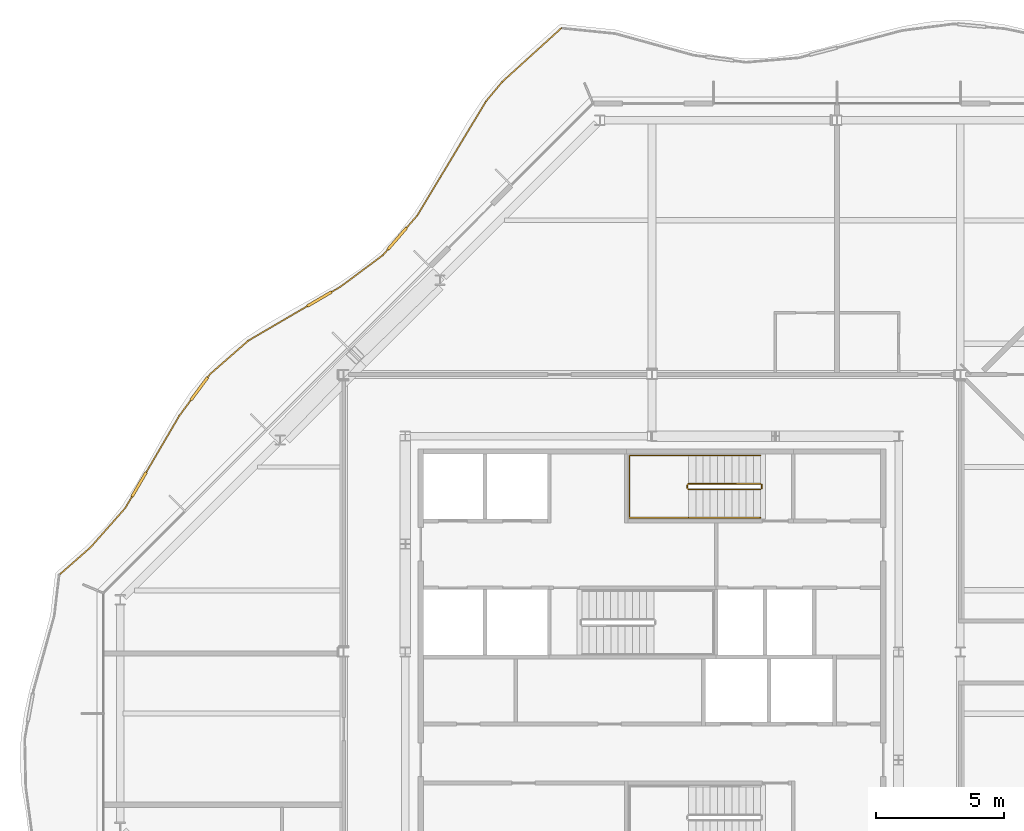
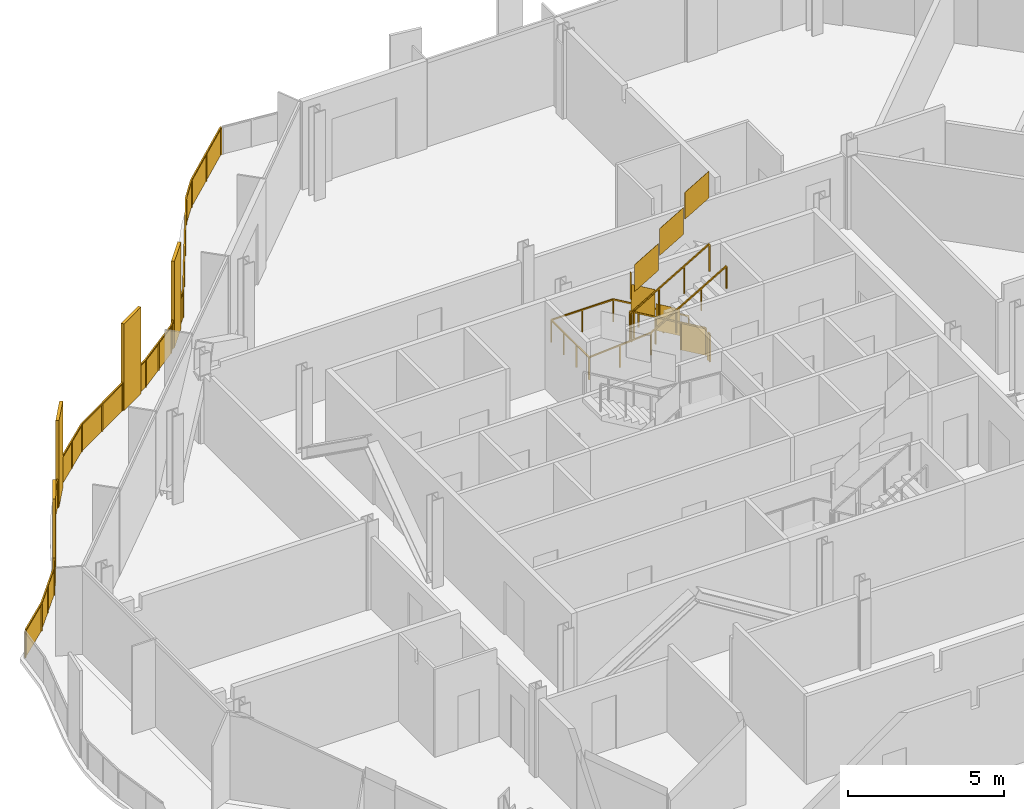
# One storey, part 16 of 17: 4 railings.
"""IFC4 building model written with IfcOpenShell, lengths in metres."""

from ifc_helpers import new_model, si_unit, direction, frame, origin, origin_2d, place, context, subcontext, project, spatial, polyline, rectangle, outline, extrude, material, type_object, element, save


model = new_model("IFC4")

# Units and contexts
model_context = context("Model", 3, precision=1e-05, world=origin(), true_north=direction((0.0, 1.0)))
body_context = subcontext(model_context, "Body", "Model", "MODEL_VIEW")
ifc_project = project(units=[si_unit("LENGTHUNIT", "METRE"), si_unit("AREAUNIT", "SQUARE_METRE"), si_unit("VOLUMEUNIT", "CUBIC_METRE"), si_unit("PLANEANGLEUNIT", "RADIAN"), si_unit("MASSUNIT", "GRAM", prefix="KILO")], contexts=[model_context])

# Site, building, storey
site_placement = place(None, origin())
site = spatial("IfcSite", under=ifc_project, at=site_placement, CompositionType="ELEMENT")
building_placement = place(site_placement, origin())
building = spatial("IfcBuilding", under=site, at=building_placement, Name="Cairn Pilgrim Tower", CompositionType="ELEMENT")
storey_placement = place(building_placement, frame((0.0, 0.0, 243.0)))
storey = spatial("IfcBuildingStorey", under=building, at=storey_placement, Name="L62", CompositionType="ELEMENT", Elevation=243.0)

# Railings
ifc_material_1 = material(Name="Bronze anodised aluminium rail, posts and fin screens with laminated glass infill", Category="aluminium")
railing_type_1 = type_object("IfcRailingType", Name="BALCONY GUARD WITH FIN SCREENS", PredefinedType="GUARDRAIL", material=ifc_material_1)
railing_1_placement = place(storey_placement, frame((3.6748046875, 26.68408203125, 0.0)))
element("IfcRailing", 1, at=railing_1_placement, inside=storey, type_object=railing_type_1, Name="Balcony guard BGF-5 with fin screens", PredefinedType="GUARDRAIL", context=body_context, shape_type="SweptSolid", body=[
    extrude(rectangle(XDim=0.050048828125, YDim=0.050048828125, at=origin_2d()), frame((0.0, 0.0, 1.0751953125), z_axis=(-0.740425900008, -0.672137996693, 0.0), x_axis=(0.672137996693, -0.740425900008, 0.0)), (0.0, 0.0, 1.0), 3.114013671875),
    extrude(rectangle(XDim=0.050048828125, YDim=0.050048828125, at=origin_2d()), frame((-2.3056640625, -2.093017578125, 1.0751953125), z_axis=(-0.638846465128, -0.76933425375, 0.0), x_axis=(0.76933425375, -0.638846465128, 0.0)), (0.0, 0.0, 1.0), 0.98779296875),
    extrude(rectangle(XDim=0.050048828125, YDim=0.050048828125, at=origin_2d()), frame((-2.936767578125, -2.85302734375, 1.0751953125), z_axis=(-0.515749020888, -0.856739719783, 0.0), x_axis=(0.856739719783, -0.515749020888, 0.0)), (0.0, 0.0, 1.0), 5.182861328125),
    extrude(rectangle(XDim=1.10009765625, YDim=0.110107421875, at=origin_2d()), frame((-6.38671875, -8.190185546875, 0.0), z_axis=(0.0, 0.0, 1.0), x_axis=(-0.654694251359, -0.755893800238, 0.0)), (0.0, 0.0, 1.0), 3.39990234375),
    extrude(rectangle(XDim=0.050048828125, YDim=0.050048828125, at=origin_2d()), frame((-5.60986328125, -7.29345703125, 1.0751953125), z_axis=(-0.654694251359, -0.755893800238, 0.0), x_axis=(0.755893800238, -0.654694251359, 0.0)), (0.0, 0.0, 1.0), 0.636474609375),
    extrude(rectangle(XDim=0.050048828125, YDim=0.050048828125, at=origin_2d()), frame((-6.74658203125, -8.60595703125, 1.0751953125), z_axis=(-0.654694251359, -0.755893800238, 0.0), x_axis=(0.755893800238, -0.654694251359, 0.0)), (0.0, 0.0, 1.0), 0.309326171875),
    extrude(rectangle(XDim=0.050048828125, YDim=0.050048828125, at=origin_2d()), frame((-6.94921875, -8.83984375, 1.0751953125), z_axis=(-0.802357436318, -0.596843819089, 0.0), x_axis=(0.596843819089, -0.802357436318, 0.0)), (0.0, 0.0, 1.0), 2.0576171875),
    extrude(rectangle(XDim=1.10009765625, YDim=0.110107421875, at=origin_2d()), frame((-9.41796875, -10.54638671875, 0.0), z_axis=(0.0, 0.0, 1.0), x_axis=(-0.863146987967, -0.504952747456, 0.0)), (0.0, 0.0, 1.0), 3.39990234375),
    extrude(rectangle(XDim=0.050048828125, YDim=0.050048828125, at=origin_2d()), frame((-8.60009765625, -10.06787109375, 1.0751953125), z_axis=(-0.863146987967, -0.504952747456, 0.0), x_axis=(0.504952747456, -0.863146987967, 0.0)), (0.0, 0.0, 1.0), 0.397705078125),
    extrude(rectangle(XDim=0.050048828125, YDim=0.050048828125, at=origin_2d()), frame((-9.892822265625, -10.823974609375, 1.0751953125), z_axis=(-0.863146987967, -0.504952747456, 0.0), x_axis=(0.504952747456, -0.863146987967, 0.0)), (0.0, 0.0, 1.0), 2.654541015625),
    extrude(rectangle(XDim=0.050048828125, YDim=0.050048828125, at=origin_2d()), frame((-12.18408203125, -12.16455078125, 1.0751953125), z_axis=(-0.752637637327, -0.658434952655, 0.0), x_axis=(0.658434952655, -0.752637637327, 0.0)), (0.0, 0.0, 1.0), 1.985107421875),
    extrude(rectangle(XDim=1.10009765625, YDim=0.110107421875, at=origin_2d()), frame((-14.09375, -14.03515625, 0.0), z_axis=(0.0, 0.0, 1.0), x_axis=(-0.593489038076, -0.804842072511, 0.0)), (0.0, 0.0, 1.0), 3.39990234375),
    extrude(rectangle(XDim=0.050048828125, YDim=0.050048828125, at=origin_2d()), frame((-13.67822265625, -13.4716796875, 1.0751953125), z_axis=(-0.593489038076, -0.804842072511, 0.0), x_axis=(0.804842072511, -0.593489038076, 0.0)), (0.0, 0.0, 1.0), 0.14990234375),
    extrude(rectangle(XDim=0.050048828125, YDim=0.050048828125, at=origin_2d()), frame((-14.420166015625, -14.477783203125, 1.0751953125), z_axis=(-0.593489038076, -0.804842072511, 0.0), x_axis=(0.804842072511, -0.593489038076, 0.0)), (0.0, 0.0, 1.0), 0.760009765625),
    extrude(rectangle(XDim=1.10009765625, YDim=0.110107421875, at=origin_2d()), frame((-16.43798828125, -17.763671875, 0.0), z_axis=(0.0, 0.0, 1.0), x_axis=(-0.505535930388, -0.862805553463, 0.0)), (0.0, 0.0, 1.0), 3.39990234375),
    extrude(rectangle(XDim=0.050048828125, YDim=0.050048828125, at=origin_2d()), frame((-14.87109375, -15.08935546875, 1.0751953125), z_axis=(-0.505535930388, -0.862805553463, 0.0), x_axis=(0.862805553463, -0.505535930388, 0.0)), (0.0, 0.0, 1.0), 2.549560546875),
    extrude(rectangle(XDim=0.050048828125, YDim=0.050048828125, at=origin_2d()), frame((-16.716064453125, -18.23828125, 1.0751953125), z_axis=(-0.505535930388, -0.862805553463, 0.0), x_axis=(0.862805553463, -0.505535930388, 0.0)), (0.0, 0.0, 1.0), 0.5146484375),
    extrude(rectangle(XDim=0.050048828125, YDim=0.050048828125, at=origin_2d()), frame((-16.976318359375, -18.682373046875, 1.0751953125), z_axis=(-0.662183726356, -0.749341519302, 0.0), x_axis=(0.749341519302, -0.662183726356, 0.0)), (0.0, 0.0, 1.0), 2.039306640625),
    extrude(rectangle(XDim=0.050048828125, YDim=0.050048828125, at=origin_2d()), frame((-18.32666015625, -20.21044921875, 1.0751953125), z_axis=(-0.751073878681, -0.66021816755, 0.0), x_axis=(0.66021816755, -0.751073878681, 0.0)), (0.0, 0.0, 1.0), 1.572021484375),
    extrude(rectangle(XDim=0.050048828125, YDim=0.050048828125, at=origin_2d()), origin(), (0.0, 0.0, 1.0), 1.050048828125),
    extrude(rectangle(XDim=0.050048828125, YDim=0.050048828125, at=origin_2d()), frame((-1.15283203125, -1.04638671875, 0.0)), (0.0, 0.0, 1.0), 1.050048828125),
    extrude(rectangle(XDim=0.050048828125, YDim=0.050048828125, at=origin_2d()), frame((-2.3056640625, -2.093017578125, 0.0)), (0.0, 0.0, 1.0), 1.050048828125),
    extrude(rectangle(XDim=0.050048828125, YDim=0.050048828125, at=origin_2d()), frame((-2.936767578125, -2.85302734375, 0.0)), (0.0, 0.0, 1.0), 1.050048828125),
    extrude(rectangle(XDim=0.050048828125, YDim=0.050048828125, at=origin_2d()), frame((-3.827880859375, -4.333251953125, 0.0)), (0.0, 0.0, 1.0), 1.050048828125),
    extrude(rectangle(XDim=0.050048828125, YDim=0.050048828125, at=origin_2d()), frame((-4.71875, -5.813232421875, 0.0)), (0.0, 0.0, 1.0), 1.050048828125),
    extrude(rectangle(XDim=0.050048828125, YDim=0.050048828125, at=origin_2d()), frame((-5.60986328125, -7.29345703125, 0.0)), (0.0, 0.0, 1.0), 1.050048828125),
    extrude(rectangle(XDim=0.050048828125, YDim=0.050048828125, at=origin_2d()), frame((-6.01025390625, -7.755615234375, 0.0)), (0.0, 0.0, 1.0), 1.050048828125),
    extrude(rectangle(XDim=0.050048828125, YDim=0.050048828125, at=origin_2d()), frame((-6.76318359375, -8.625, 0.0)), (0.0, 0.0, 1.0), 1.050048828125),
    extrude(rectangle(XDim=0.050048828125, YDim=0.050048828125, at=origin_2d()), frame((-6.94921875, -8.83984375, 0.0)), (0.0, 0.0, 1.0), 1.050048828125),
    extrude(rectangle(XDim=0.050048828125, YDim=0.050048828125, at=origin_2d()), frame((-7.774658203125, -9.453857421875, 0.0)), (0.0, 0.0, 1.0), 1.050048828125),
    extrude(rectangle(XDim=0.050048828125, YDim=0.050048828125, at=origin_2d()), frame((-8.60009765625, -10.06787109375, 0.0)), (0.0, 0.0, 1.0), 1.050048828125),
    extrude(rectangle(XDim=0.050048828125, YDim=0.050048828125, at=origin_2d()), frame((-8.921630859375, -10.256103515625, 0.0)), (0.0, 0.0, 1.0), 1.050048828125),
    extrude(rectangle(XDim=0.050048828125, YDim=0.050048828125, at=origin_2d()), frame((-9.914306640625, -10.836669921875, 0.0)), (0.0, 0.0, 1.0), 1.050048828125),
    extrude(rectangle(XDim=0.050048828125, YDim=0.050048828125, at=origin_2d()), frame((-11.04931640625, -11.500732421875, 0.0)), (0.0, 0.0, 1.0), 1.050048828125),
    extrude(rectangle(XDim=0.050048828125, YDim=0.050048828125, at=origin_2d()), frame((-12.18408203125, -12.16455078125, 0.0)), (0.0, 0.0, 1.0), 1.050048828125),
    extrude(rectangle(XDim=0.050048828125, YDim=0.050048828125, at=origin_2d()), frame((-12.93115234375, -12.818115234375, 0.0)), (0.0, 0.0, 1.0), 1.050048828125),
    extrude(rectangle(XDim=0.050048828125, YDim=0.050048828125, at=origin_2d()), frame((-13.67822265625, -13.4716796875, 0.0)), (0.0, 0.0, 1.0), 1.050048828125),
    extrude(rectangle(XDim=0.050048828125, YDim=0.050048828125, at=origin_2d()), frame((-13.75244140625, -13.572265625, 0.0)), (0.0, 0.0, 1.0), 1.050048828125),
    extrude(rectangle(XDim=0.050048828125, YDim=0.050048828125, at=origin_2d()), frame((-14.434814453125, -14.497802734375, 0.0)), (0.0, 0.0, 1.0), 1.050048828125),
    extrude(rectangle(XDim=0.050048828125, YDim=0.050048828125, at=origin_2d()), frame((-14.87109375, -15.08935546875, 0.0)), (0.0, 0.0, 1.0), 1.050048828125),
    extrude(rectangle(XDim=0.050048828125, YDim=0.050048828125, at=origin_2d()), frame((-15.50927734375, -16.178466796875, 0.0)), (0.0, 0.0, 1.0), 1.050048828125),
    extrude(rectangle(XDim=0.050048828125, YDim=0.050048828125, at=origin_2d()), frame((-16.1474609375, -17.267578125, 0.0)), (0.0, 0.0, 1.0), 1.050048828125),
    extrude(rectangle(XDim=0.050048828125, YDim=0.050048828125, at=origin_2d()), frame((-16.728759765625, -18.259765625, 0.0)), (0.0, 0.0, 1.0), 1.050048828125),
    extrude(rectangle(XDim=0.050048828125, YDim=0.050048828125, at=origin_2d()), frame((-16.976318359375, -18.682373046875, 0.0)), (0.0, 0.0, 1.0), 1.050048828125),
    extrude(rectangle(XDim=0.050048828125, YDim=0.050048828125, at=origin_2d()), frame((-17.6513671875, -19.4462890625, 0.0)), (0.0, 0.0, 1.0), 1.050048828125),
    extrude(rectangle(XDim=0.050048828125, YDim=0.050048828125, at=origin_2d()), frame((-18.32666015625, -20.21044921875, 0.0)), (0.0, 0.0, 1.0), 1.050048828125),
    extrude(rectangle(XDim=0.050048828125, YDim=0.050048828125, at=origin_2d()), frame((-19.50732421875, -21.248291015625, 0.0)), (0.0, 0.0, 1.0), 1.050048828125),
    extrude(outline(polyline([(0.02490234375, 0.0), (1.531982421875, 0.0), (1.531982421875, 1.050048828125), (0.02490234375, 1.050048828125), (0.02490234375, 0.0)])), frame((0.00390625, -0.00439453125, 0.0), z_axis=(-0.672137996693, 0.740425900008, 0.0), x_axis=(-0.740425900008, -0.672137996693, 0.0)), (0.0, 0.0, 1.0), 0.011962890625),
    extrude(outline(polyline([(0.02490234375, 0.0), (1.531982421875, 0.0), (1.531982421875, 1.050048828125), (0.02490234375, 1.050048828125), (0.02490234375, 0.0)])), frame((-1.14892578125, -1.051025390625, 0.0), z_axis=(-0.672137996693, 0.740425900008, 0.0), x_axis=(-0.740425900008, -0.672137996693, 0.0)), (0.0, 0.0, 1.0), 0.011962890625),
    extrude(outline(polyline([(0.02490234375, 0.0), (0.962890625, 0.0), (0.962890625, 1.050048828125), (0.02490234375, 1.050048828125), (0.02490234375, 0.0)])), frame((-2.301025390625, -2.096923828125, 0.0), z_axis=(-0.76933425375, 0.638846465128, 0.0), x_axis=(-0.638846465128, -0.76933425375, 0.0)), (0.0, 0.0, 1.0), 0.011962890625),
    extrude(outline(polyline([(0.02490234375, 0.0), (1.70263671875, 0.0), (1.70263671875, 1.050048828125), (0.02490234375, 1.050048828125), (0.02490234375, 0.0)])), frame((-2.931640625, -2.856201171875, 0.0), z_axis=(-0.856739719783, 0.515749020888, 0.0), x_axis=(-0.515749020888, -0.856739719783, 0.0)), (0.0, 0.0, 1.0), 0.011962890625),
    extrude(outline(polyline([(0.02490234375, 0.0), (1.70263671875, 0.0), (1.70263671875, 1.050048828125), (0.02490234375, 1.050048828125), (0.02490234375, 0.0)])), frame((-3.82275390625, -4.336181640625, 0.0), z_axis=(-0.856739719783, 0.515749020888, 0.0), x_axis=(-0.515749020888, -0.856739719783, 0.0)), (0.0, 0.0, 1.0), 0.011962890625),
    extrude(outline(polyline([(0.02490234375, 0.0), (1.70263671875, 0.0), (1.70263671875, 1.050048828125), (0.02490234375, 1.050048828125), (0.02490234375, 0.0)])), frame((-4.713623046875, -5.81640625, 0.0), z_axis=(-0.856739719783, 0.515749020888, 0.0), x_axis=(-0.515749020888, -0.856739719783, 0.0)), (0.0, 0.0, 1.0), 0.011962890625),
    extrude(outline(polyline([(0.02490234375, 0.0), (0.58642578125, 0.0), (0.58642578125, 1.050048828125), (0.02490234375, 1.050048828125), (0.02490234375, 0.0)])), frame((-5.605224609375, -7.29736328125, 0.0), z_axis=(-0.755893800238, 0.654694251359, 0.0), x_axis=(-0.654694251359, -0.755893800238, 0.0)), (0.0, 0.0, 1.0), 0.011962890625),
    extrude(outline(polyline([(0.02490234375, 0.0), (0.25927734375, 0.0), (0.25927734375, 1.050048828125), (0.02490234375, 1.050048828125), (0.02490234375, 0.0)])), frame((-6.758544921875, -8.62890625, 0.0), z_axis=(-0.755893800238, 0.654694251359, 0.0), x_axis=(-0.654694251359, -0.755893800238, 0.0)), (0.0, 0.0, 1.0), 0.011962890625),
    extrude(outline(polyline([(0.02490234375, 0.0), (1.003662109375, 0.0), (1.003662109375, 1.050048828125), (0.02490234375, 1.050048828125), (0.02490234375, 0.0)])), frame((-6.945556640625, -8.8447265625, 0.0), z_axis=(-0.596843819089, 0.802357436318, 0.0), x_axis=(-0.802357436318, -0.596843819089, 0.0)), (0.0, 0.0, 1.0), 0.011962890625),
    extrude(outline(polyline([(0.02490234375, 0.0), (1.003662109375, 0.0), (1.003662109375, 1.050048828125), (0.02490234375, 1.050048828125), (0.02490234375, 0.0)])), frame((-7.77099609375, -9.458740234375, 0.0), z_axis=(-0.596843819089, 0.802357436318, 0.0), x_axis=(-0.802357436318, -0.596843819089, 0.0)), (0.0, 0.0, 1.0), 0.011962890625),
    extrude(outline(polyline([(0.02490234375, 0.0), (0.34765625, 0.0), (0.34765625, 1.050048828125), (0.02490234375, 1.050048828125), (0.02490234375, 0.0)])), frame((-8.59716796875, -10.072998046875, 0.0), z_axis=(-0.504952747456, 0.863146987967, 0.0), x_axis=(-0.863146987967, -0.504952747456, 0.0)), (0.0, 0.0, 1.0), 0.011962890625),
    extrude(outline(polyline([(0.02490234375, 0.0), (1.289794921875, 0.0), (1.289794921875, 1.050048828125), (0.02490234375, 1.050048828125), (0.02490234375, 0.0)])), frame((-9.911376953125, -10.841796875, 0.0), z_axis=(-0.504952747456, 0.863146987967, 0.0), x_axis=(-0.863146987967, -0.504952747456, 0.0)), (0.0, 0.0, 1.0), 0.011962890625),
    extrude(outline(polyline([(0.02490234375, 0.0), (1.289794921875, 0.0), (1.289794921875, 1.050048828125), (0.02490234375, 1.050048828125), (0.02490234375, 0.0)])), frame((-11.046142578125, -11.505859375, 0.0), z_axis=(-0.504952747456, 0.863146987967, 0.0), x_axis=(-0.863146987967, -0.504952747456, 0.0)), (0.0, 0.0, 1.0), 0.011962890625),
    extrude(outline(polyline([(0.02490234375, 0.0), (0.967529296875, 0.0), (0.967529296875, 1.050048828125), (0.02490234375, 1.050048828125), (0.02490234375, 0.0)])), frame((-12.18017578125, -12.1689453125, 0.0), z_axis=(-0.658434952655, 0.752637637327, 0.0), x_axis=(-0.752637637327, -0.658434952655, 0.0)), (0.0, 0.0, 1.0), 0.011962890625),
    extrude(outline(polyline([(0.02490234375, 0.0), (0.967529296875, 0.0), (0.967529296875, 1.050048828125), (0.02490234375, 1.050048828125), (0.02490234375, 0.0)])), frame((-12.92724609375, -12.822509765625, 0.0), z_axis=(-0.658434952655, 0.752637637327, 0.0), x_axis=(-0.752637637327, -0.658434952655, 0.0)), (0.0, 0.0, 1.0), 0.011962890625),
    extrude(outline(polyline([(0.02490234375, 0.0), (0.099853515625, 0.0), (0.099853515625, 1.050048828125), (0.02490234375, 1.050048828125), (0.02490234375, 0.0)])), frame((-13.67333984375, -13.475341796875, 0.0), z_axis=(-0.804842072511, 0.593489038076, 0.0), x_axis=(-0.593489038076, -0.804842072511, 0.0)), (0.0, 0.0, 1.0), 0.011962890625),
    extrude(outline(polyline([(0.02490234375, 0.0), (0.7099609375, 0.0), (0.7099609375, 1.050048828125), (0.02490234375, 1.050048828125), (0.02490234375, 0.0)])), frame((-14.43017578125, -14.50146484375, 0.0), z_axis=(-0.804842072511, 0.593489038076, 0.0), x_axis=(-0.593489038076, -0.804842072511, 0.0)), (0.0, 0.0, 1.0), 0.011962890625),
    extrude(outline(polyline([(0.02490234375, 0.0), (1.2373046875, 0.0), (1.2373046875, 1.050048828125), (0.02490234375, 1.050048828125), (0.02490234375, 0.0)])), frame((-14.865966796875, -15.09228515625, 0.0), z_axis=(-0.862805553463, 0.505535930388, 0.0), x_axis=(-0.505535930388, -0.862805553463, 0.0)), (0.0, 0.0, 1.0), 0.011962890625),
    extrude(outline(polyline([(0.02490234375, 0.0), (1.2373046875, 0.0), (1.2373046875, 1.050048828125), (0.02490234375, 1.050048828125), (0.02490234375, 0.0)])), frame((-15.504150390625, -16.181396484375, 0.0), z_axis=(-0.862805553463, 0.505535930388, 0.0), x_axis=(-0.505535930388, -0.862805553463, 0.0)), (0.0, 0.0, 1.0), 0.011962890625),
    extrude(outline(polyline([(0.02490234375, 0.0), (0.464599609375, 0.0), (0.464599609375, 1.050048828125), (0.02490234375, 1.050048828125), (0.02490234375, 0.0)])), frame((-16.7236328125, -18.262939453125, 0.0), z_axis=(-0.862805553463, 0.505535930388, 0.0), x_axis=(-0.505535930388, -0.862805553463, 0.0)), (0.0, 0.0, 1.0), 0.011962890625),
    extrude(outline(polyline([(0.02490234375, 0.0), (0.99462890625, 0.0), (0.99462890625, 1.050048828125), (0.02490234375, 1.050048828125), (0.02490234375, 0.0)])), frame((-16.971923828125, -18.686279296875, 0.0), z_axis=(-0.749341519302, 0.662183726356, 0.0), x_axis=(-0.662183726356, -0.749341519302, 0.0)), (0.0, 0.0, 1.0), 0.011962890625),
    extrude(outline(polyline([(0.02490234375, 0.0), (0.99462890625, 0.0), (0.99462890625, 1.050048828125), (0.02490234375, 1.050048828125), (0.02490234375, 0.0)])), frame((-17.64697265625, -19.450439453125, 0.0), z_axis=(-0.749341519302, 0.662183726356, 0.0), x_axis=(-0.662183726356, -0.749341519302, 0.0)), (0.0, 0.0, 1.0), 0.011962890625),
    extrude(outline(polyline([(0.02490234375, 0.0), (1.546875, 0.0), (1.546875, 1.050048828125), (0.02490234375, 1.050048828125), (0.02490234375, 0.0)])), frame((-18.32275390625, -20.21484375, 0.0), z_axis=(-0.66021816755, 0.751073878681, 0.0), x_axis=(-0.751073878681, -0.66021816755, 0.0)), (0.0, 0.0, 1.0), 0.011962890625),
])
ifc_material_2 = material(Name="Painted steel", Category="steel")
railing_type_2 = type_object("IfcRailingType", Name="STAIR GUARD 1100", PredefinedType="GUARDRAIL", material=ifc_material_2)
railing_2_placement = place(storey_placement, frame((11.425048828125, 8.949951171875, 0.16357421875)))
element("IfcRailing", 2, at=railing_2_placement, inside=storey, type_object=railing_type_2, Name="L62 ST-C stair guard 1", PredefinedType="GUARDRAIL", context=body_context, shape_type="SweptSolid", body=[
    extrude(rectangle(XDim=0.048095703125, YDim=0.048095703125, at=origin_2d()), frame((0.0, 0.0, 1.076171875), z_axis=(-0.863360870873, 0.0, 0.504586966384), x_axis=(0.0, -1.0, 0.0)), (0.0, 0.0, 1.0), 3.2431640625),
    extrude(rectangle(XDim=0.048095703125, YDim=0.048095703125, at=origin_2d()), frame((-2.800048828125, 0.0, 2.71240234375), z_axis=(-0.707106781187, -0.707106781187, 0.0), x_axis=(0.707106781187, -0.707106781187, 0.0)), (0.0, 0.0, 1.0), 0.07080078125),
    extrude(rectangle(XDim=0.048095703125, YDim=0.048095703125, at=origin_2d()), frame((-2.85009765625, -0.050048828125, 2.71240234375), z_axis=(0.0, -1.0, 0.0), x_axis=(1.0, 0.0, 0.0)), (0.0, 0.0, 1.0), 0.125),
    extrude(rectangle(XDim=0.048095703125, YDim=0.048095703125, at=origin_2d()), frame((-2.85009765625, -0.175048828125, 2.71240234375), z_axis=(0.280916556609, -0.279546231943, 0.91811752648), x_axis=(0.705375805398, 0.708833529934, 0.0)), (0.0, 0.0, 1.0), 0.17822265625),
    extrude(rectangle(XDim=0.048095703125, YDim=0.048095703125, at=origin_2d()), frame((-2.800048828125, -0.224853515625, 2.8759765625), z_axis=(0.863360870873, 0.0, 0.504586966384), x_axis=(0.0, 1.0, 0.0)), (0.0, 0.0, 1.0), 3.2431640625),
    extrude(rectangle(XDim=0.0419921875, YDim=0.0419921875, at=origin_2d()), origin(), (0.0, 0.0, 1.0), 1.052001953125),
    extrude(rectangle(XDim=0.0419921875, YDim=0.0419921875, at=origin_2d()), frame((-0.933349609375, 0.0, 0.54541015625)), (0.0, 0.0, 1.0), 1.052001953125),
    extrude(rectangle(XDim=0.0419921875, YDim=0.0419921875, at=origin_2d()), frame((-1.86669921875, 0.0, 1.091064453125)), (0.0, 0.0, 1.0), 1.052001953125),
    extrude(rectangle(XDim=0.0419921875, YDim=0.0419921875, at=origin_2d()), frame((-2.800048828125, 0.0, 1.636474609375)), (0.0, 0.0, 1.0), 1.052001953125),
    extrude(rectangle(XDim=0.0419921875, YDim=0.0419921875, at=origin_2d()), frame((-2.85009765625, -0.050048828125, 1.636474609375)), (0.0, 0.0, 1.0), 1.052001953125),
    extrude(rectangle(XDim=0.0419921875, YDim=0.0419921875, at=origin_2d()), frame((-2.85009765625, -0.175048828125, 1.636474609375)), (0.0, 0.0, 1.0), 1.052001953125),
    extrude(rectangle(XDim=0.0419921875, YDim=0.0419921875, at=origin_2d()), frame((-2.800048828125, -0.224853515625, 1.800048828125)), (0.0, 0.0, 1.0), 1.052001953125),
    extrude(rectangle(XDim=0.0419921875, YDim=0.0419921875, at=origin_2d()), frame((-1.86669921875, -0.224853515625, 2.345458984375)), (0.0, 0.0, 1.0), 1.052001953125),
    extrude(rectangle(XDim=0.0419921875, YDim=0.0419921875, at=origin_2d()), frame((-0.933349609375, -0.224853515625, 2.89111328125)), (0.0, 0.0, 1.0), 1.052001953125),
    extrude(rectangle(XDim=0.0419921875, YDim=0.0419921875, at=origin_2d()), frame((0.0, -0.224853515625, 3.4365234375)), (0.0, 0.0, 1.0), 1.052001953125),
    extrude(outline(polyline([(0.02099609375, 0.01220703125), (0.912353515625, 0.533203125), (0.912353515625, 1.585205078125), (0.02099609375, 1.064208984375), (0.02099609375, 0.01220703125)])), frame((0.0, -0.005859375, 0.0), z_axis=(0.0, 1.0, 0.0), x_axis=(-1.0, 0.0, 0.0)), (0.0, 0.0, 1.0), 0.011962890625),
    extrude(outline(polyline([(0.02099609375, 0.557861328125), (0.912353515625, 1.07861328125), (0.912353515625, 2.130615234375), (0.02099609375, 1.60986328125), (0.02099609375, 0.557861328125)])), frame((-0.933349609375, -0.005859375, 0.54541015625), z_axis=(0.0, 1.0, 0.0), x_axis=(-1.0, 0.0, 0.0)), (0.0, 0.0, 1.0), 0.011962890625),
    extrude(outline(polyline([(0.02099609375, 1.103271484375), (0.912353515625, 1.624267578125), (0.912353515625, 2.67626953125), (0.02099609375, 2.1552734375), (0.02099609375, 1.103271484375)])), frame((-1.86669921875, -0.005859375, 1.091064453125), z_axis=(0.0, 1.0, 0.0), x_axis=(-1.0, 0.0, 0.0)), (0.0, 0.0, 1.0), 0.011962890625),
    extrude(outline(polyline([(0.02099609375, 1.636474609375), (0.10400390625, 1.636474609375), (0.10400390625, 2.6884765625), (0.02099609375, 2.6884765625), (0.02099609375, 1.636474609375)])), frame((-2.84423828125, -0.050048828125, 1.636474609375), z_axis=(-1.0, 0.0, 0.0), x_axis=(0.0, -1.0, 0.0)), (0.0, 0.0, 1.0), 0.011962890625),
    extrude(outline(polyline([(0.02099609375, 1.812255859375), (0.912353515625, 2.333251953125), (0.912353515625, 3.38525390625), (0.02099609375, 2.8642578125), (0.02099609375, 1.812255859375)])), frame((-2.800048828125, -0.21875, 1.800048828125), z_axis=(0.0, -1.0, 0.0), x_axis=(1.0, 0.0, 0.0)), (0.0, 0.0, 1.0), 0.011962890625),
    extrude(outline(polyline([(0.02099609375, 2.35791015625), (0.912353515625, 2.878662109375), (0.912353515625, 3.9306640625), (0.02099609375, 3.409912109375), (0.02099609375, 2.35791015625)])), frame((-1.86669921875, -0.21875, 2.345458984375), z_axis=(0.0, -1.0, 0.0), x_axis=(1.0, 0.0, 0.0)), (0.0, 0.0, 1.0), 0.011962890625),
    extrude(outline(polyline([(0.02099609375, 2.9033203125), (0.912353515625, 3.42431640625), (0.912353515625, 4.476318359375), (0.02099609375, 3.955322265625), (0.02099609375, 2.9033203125)])), frame((-0.933349609375, -0.21875, 2.89111328125), z_axis=(0.0, -1.0, 0.0), x_axis=(1.0, 0.0, 0.0)), (0.0, 0.0, 1.0), 0.011962890625),
])
railing_3_placement = place(storey_placement, frame((11.47509765625, 8.89990234375, 0.0)))
element("IfcRailing", 3, at=railing_3_placement, inside=storey, type_object=railing_type_2, Name="L62 ST-C stair guard 2", PredefinedType="GUARDRAIL", context=body_context, shape_type="SweptSolid", body=[
    extrude(rectangle(XDim=0.048095703125, YDim=0.048095703125, at=origin_2d()), frame((0.0, 0.0, 1.076171875), z_axis=(0.0, -1.0, 0.0), x_axis=(1.0, 0.0, 0.0)), (0.0, 0.0, 1.0), 0.125),
    extrude(rectangle(XDim=0.0419921875, YDim=0.0419921875, at=origin_2d()), origin(), (0.0, 0.0, 1.0), 1.052001953125),
    extrude(rectangle(XDim=0.0419921875, YDim=0.0419921875, at=origin_2d()), frame((0.0, -0.125, 0.0)), (0.0, 0.0, 1.0), 1.052001953125),
    extrude(outline(polyline([(0.02099609375, 0.0), (0.10400390625, 0.0), (0.10400390625, 1.052001953125), (0.02099609375, 1.052001953125), (0.02099609375, 0.0)])), frame((0.005859375, 0.0, 0.0), z_axis=(-1.0, 0.0, 0.0), x_axis=(0.0, -1.0, 0.0)), (0.0, 0.0, 1.0), 0.011962890625),
])
railing_type_3 = type_object("IfcRailingType", Name="STAIR HANDRAIL 900", PredefinedType="HANDRAIL", material=ifc_material_2)
railing_4_placement = place(storey_placement, frame((11.425048828125, 10.050048828125, 0.16357421875)))
element("IfcRailing", 4, at=railing_4_placement, inside=storey, type_object=railing_type_3, Name="L62 ST-C stair handrail 1", PredefinedType="HANDRAIL", context=body_context, shape_type="SweptSolid", body=[
    extrude(rectangle(XDim=0.048095703125, YDim=0.048095703125, at=origin_2d()), frame((0.0, 0.0, 0.8759765625), z_axis=(-0.863360870873, 0.0, 0.504586966384), x_axis=(0.0, -1.0, 0.0)), (0.0, 0.0, 1.0), 3.2431640625),
    extrude(rectangle(XDim=0.048095703125, YDim=0.048095703125, at=origin_2d()), frame((-2.800048828125, 0.0, 2.51220703125), z_axis=(-1.0, 0.0, 0.0), x_axis=(0.0, -1.0, 0.0)), (0.0, 0.0, 1.0), 2.300048828125),
    extrude(rectangle(XDim=0.048095703125, YDim=0.048095703125, at=origin_2d()), frame((-5.10009765625, 0.0, 2.51220703125), z_axis=(0.0, -1.0, 0.0), x_axis=(1.0, 0.0, 0.0)), (0.0, 0.0, 1.0), 2.425048828125),
    extrude(rectangle(XDim=0.048095703125, YDim=0.048095703125, at=origin_2d()), frame((-5.10009765625, -2.425048828125, 2.51220703125), z_axis=(0.997480687736, 0.0, 0.070938548008), x_axis=(0.0, 1.0, 0.0)), (0.0, 0.0, 1.0), 2.305908203125),
    extrude(rectangle(XDim=0.048095703125, YDim=0.048095703125, at=origin_2d()), frame((-2.800048828125, -2.425048828125, 2.67578125), z_axis=(0.863360870873, 0.0, 0.504586966384), x_axis=(0.0, 1.0, 0.0)), (0.0, 0.0, 1.0), 3.2431640625),
    extrude(rectangle(XDim=0.0419921875, YDim=0.0419921875, at=origin_2d()), origin(), (0.0, 0.0, 1.0), 0.851806640625),
    extrude(rectangle(XDim=0.0419921875, YDim=0.0419921875, at=origin_2d()), frame((-0.933349609375, 0.0, 0.54541015625)), (0.0, 0.0, 1.0), 0.851806640625),
    extrude(rectangle(XDim=0.0419921875, YDim=0.0419921875, at=origin_2d()), frame((-1.86669921875, 0.0, 1.091064453125)), (0.0, 0.0, 1.0), 0.851806640625),
    extrude(rectangle(XDim=0.0419921875, YDim=0.0419921875, at=origin_2d()), frame((-2.800048828125, 0.0, 1.636474609375)), (0.0, 0.0, 1.0), 0.851806640625),
    extrude(rectangle(XDim=0.0419921875, YDim=0.0419921875, at=origin_2d()), frame((-3.9501953125, 0.0, 1.636474609375)), (0.0, 0.0, 1.0), 0.851806640625),
    extrude(rectangle(XDim=0.0419921875, YDim=0.0419921875, at=origin_2d()), frame((-5.10009765625, 0.0, 1.636474609375)), (0.0, 0.0, 1.0), 0.851806640625),
    extrude(rectangle(XDim=0.0419921875, YDim=0.0419921875, at=origin_2d()), frame((-5.10009765625, -0.808349609375, 1.636474609375)), (0.0, 0.0, 1.0), 0.851806640625),
    extrude(rectangle(XDim=0.0419921875, YDim=0.0419921875, at=origin_2d()), frame((-5.10009765625, -1.61669921875, 1.636474609375)), (0.0, 0.0, 1.0), 0.851806640625),
    extrude(rectangle(XDim=0.0419921875, YDim=0.0419921875, at=origin_2d()), frame((-5.10009765625, -2.425048828125, 1.636474609375)), (0.0, 0.0, 1.0), 0.851806640625),
    extrude(rectangle(XDim=0.0419921875, YDim=0.0419921875, at=origin_2d()), frame((-3.9501953125, -2.425048828125, 1.71826171875)), (0.0, 0.0, 1.0), 0.851806640625),
    extrude(rectangle(XDim=0.0419921875, YDim=0.0419921875, at=origin_2d()), frame((-2.800048828125, -2.425048828125, 1.800048828125)), (0.0, 0.0, 1.0), 0.851806640625),
    extrude(rectangle(XDim=0.0419921875, YDim=0.0419921875, at=origin_2d()), frame((-1.86669921875, -2.425048828125, 2.345458984375)), (0.0, 0.0, 1.0), 0.851806640625),
    extrude(rectangle(XDim=0.0419921875, YDim=0.0419921875, at=origin_2d()), frame((-0.933349609375, -2.425048828125, 2.89111328125)), (0.0, 0.0, 1.0), 0.851806640625),
    extrude(rectangle(XDim=0.0419921875, YDim=0.0419921875, at=origin_2d()), frame((0.0, -2.425048828125, 3.4365234375)), (0.0, 0.0, 1.0), 0.851806640625),
])

save(model, "model.ifc")
